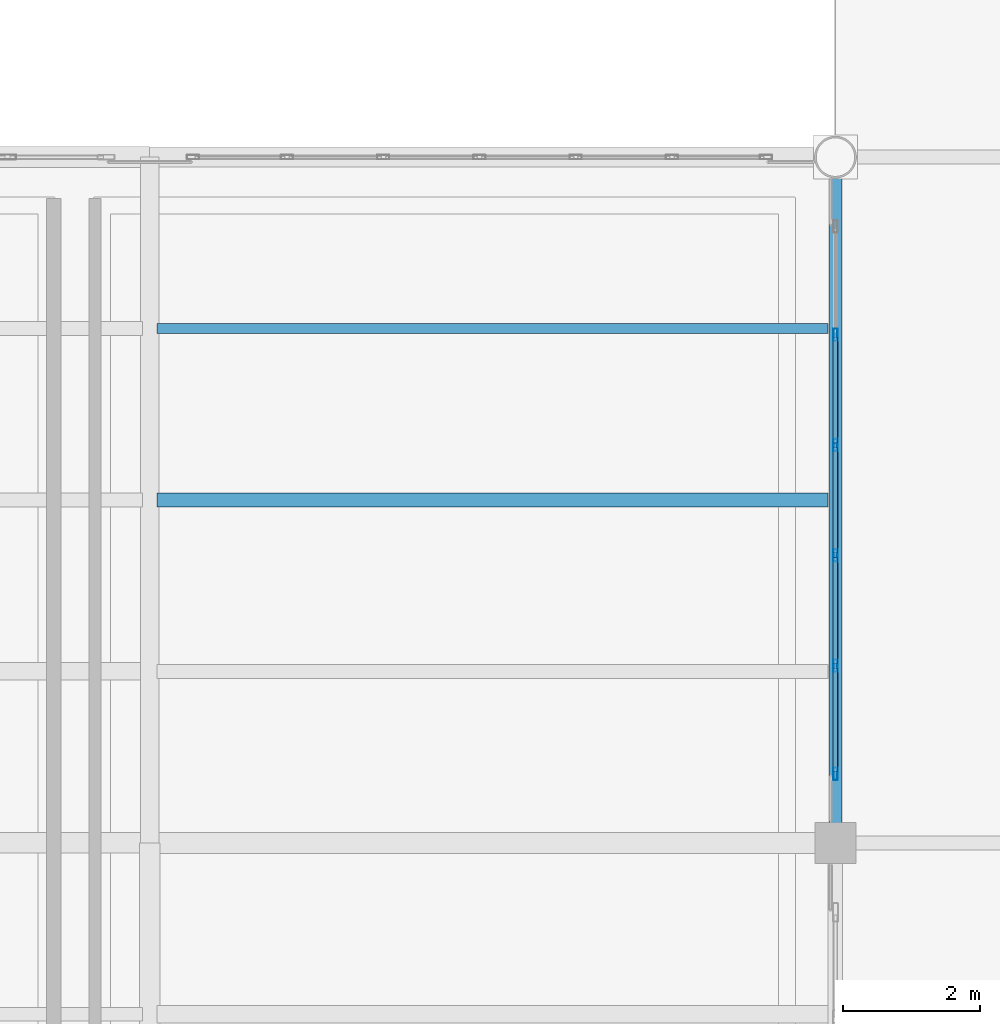
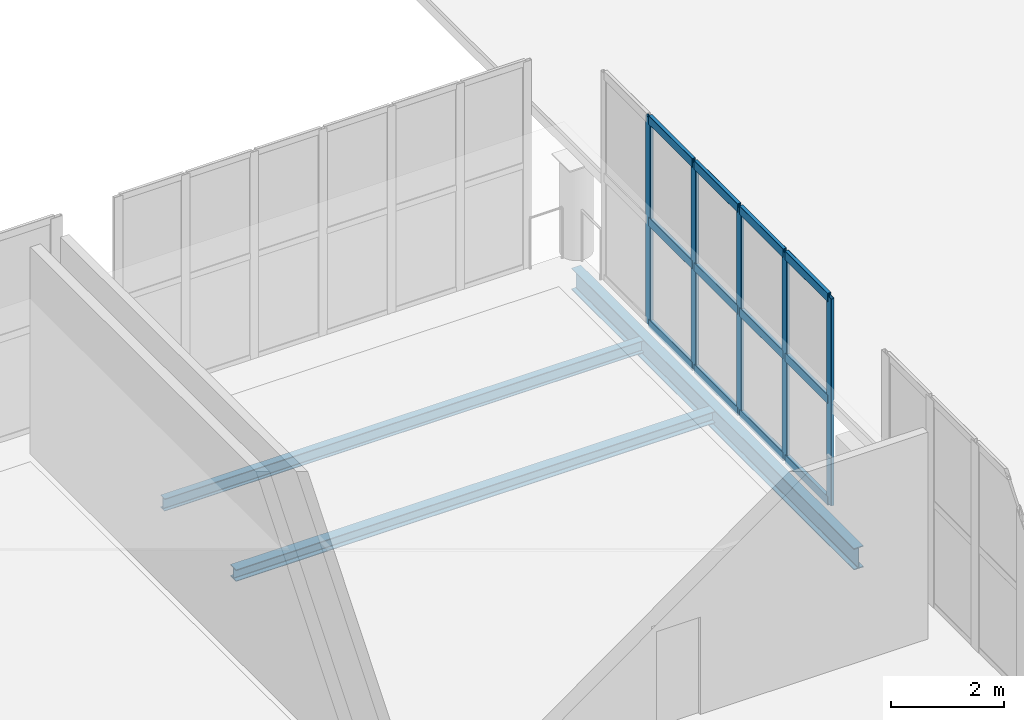
# One storey, part 81 of 136: 17 members, 3 beams, 1 element without a shape of its own.
"""IFC4 building model written with IfcOpenShell, lengths in metres."""

from ifc_helpers import new_model, si_unit, direction, frame, origin, origin_2d, place, context, subcontext, project, spatial, hollow_rectangle, i_section, extrude, material, layer, layer_set, material_profile, profile_set, type_object, element, aggregate, save


model = new_model("IFC4")

# Units and contexts
model_context = context("Model", 3, precision=1e-05, world=origin(), true_north=direction((0.0, 1.0)))
body_context = subcontext(model_context, "Body", "Model", "MODEL_VIEW")
ifc_project = project(units=[si_unit("LENGTHUNIT", "METRE"), si_unit("AREAUNIT", "SQUARE_METRE"), si_unit("VOLUMEUNIT", "CUBIC_METRE"), si_unit("PLANEANGLEUNIT", "RADIAN"), si_unit("MASSUNIT", "GRAM", prefix="KILO")], contexts=[model_context])

# Site, building, storey
site_placement = place(None, origin())
site = spatial("IfcSite", under=ifc_project, at=site_placement, CompositionType="ELEMENT")
building_placement = place(site_placement, origin())
building = spatial("IfcBuilding", under=site, at=building_placement, Name="Brinegate Civic Arena", CompositionType="ELEMENT")
storey_placement = place(building_placement, frame((0.0, 0.0, 5.39990234375)))
storey = spatial("IfcBuildingStorey", under=building, at=storey_placement, Name="L01", CompositionType="ELEMENT", Elevation=5.39990234375)

# Curtain wall, members
ifc_material_1 = material(Name="Marine grade aluminium", Category="aluminium")
ifc_layer = layer(ifc_material_1, 0.18505859375, Name="Marine grade aluminium")
ifc_layer_set = layer_set([ifc_layer], Name="Marine grade aluminium")
curtain_wall_type = type_object("IfcCurtainWallType", Name="CW-WING-GLAZED-03", PredefinedType="USERDEFINED", material=ifc_layer_set)
curtain_wall_placement = place(storey_placement, origin())
curtain_wall = element("IfcCurtainWall", 1, at=curtain_wall_placement, inside=storey, type_object=curtain_wall_type, Name="Curtain Wall CWA-038", ObjectType="GLAZED CURTAIN WALL", PredefinedType="USERDEFINED")
ifc_material_profile_1 = material_profile(ifc_material_1, hollow_rectangle(XDim=0.06494140625, YDim=0.179931640625, WallThickness=0.0048828125, InnerFilletRadius=0.00390625, OuterFilletRadius=0.008056640625, at=origin_2d()), Name="MUL65X180")
ifc_profile_set_1 = profile_set([ifc_material_profile_1], Name="Marine grade aluminium")
member_type_1 = type_object("IfcMemberType", Name="CW-MULLION-65X180", PredefinedType="MULLION", material=ifc_profile_set_1)
member_1_placement = place(storey_placement, frame((190.0, 73.006591796875, 0.0), z_axis=(0.0, 0.0, 1.0), x_axis=(-1.0, 0.0, 0.0)))
member_1 = element("IfcMember", 2, at=member_1_placement, type_object=member_type_1, Name="CWA-038 mullion 1", PredefinedType="MULLION", context=body_context, shape_type="SweptSolid", body=[
    extrude(hollow_rectangle(XDim=0.06494140625, YDim=0.179931640625, WallThickness=0.0048828125, InnerFilletRadius=0.00390625, OuterFilletRadius=0.008056640625, at=origin_2d()), origin(), (0.0, 0.0, 1.0), 4.47021484375),
])
member_2_placement = place(storey_placement, frame((190.0, 74.5830078125, 0.0), z_axis=(0.0, 0.0, 1.0), x_axis=(-1.0, 0.0, 0.0)))
member_2 = element("IfcMember", 3, at=member_2_placement, type_object=member_type_1, Name="CWA-038 mullion 2", PredefinedType="MULLION", context=body_context, shape_type="SweptSolid", body=[
    extrude(hollow_rectangle(XDim=0.06494140625, YDim=0.179931640625, WallThickness=0.0048828125, InnerFilletRadius=0.00390625, OuterFilletRadius=0.008056640625, at=origin_2d()), origin(), (0.0, 0.0, 1.0), 4.47021484375),
])
member_3_placement = place(storey_placement, frame((190.0, 76.19189453125, 0.0), z_axis=(0.0, 0.0, 1.0), x_axis=(-1.0, 0.0, 0.0)))
member_3 = element("IfcMember", 4, at=member_3_placement, type_object=member_type_1, Name="CWA-038 mullion 3", PredefinedType="MULLION", context=body_context, shape_type="SweptSolid", body=[
    extrude(hollow_rectangle(XDim=0.06494140625, YDim=0.179931640625, WallThickness=0.0048828125, InnerFilletRadius=0.00390625, OuterFilletRadius=0.008056640625, at=origin_2d()), origin(), (0.0, 0.0, 1.0), 4.47021484375),
])
member_4_placement = place(storey_placement, frame((190.0, 77.801025390625, 0.0), z_axis=(0.0, 0.0, 1.0), x_axis=(-1.0, 0.0, 0.0)))
member_4 = element("IfcMember", 5, at=member_4_placement, type_object=member_type_1, Name="CWA-038 mullion 4", PredefinedType="MULLION", context=body_context, shape_type="SweptSolid", body=[
    extrude(hollow_rectangle(XDim=0.06494140625, YDim=0.179931640625, WallThickness=0.0048828125, InnerFilletRadius=0.00390625, OuterFilletRadius=0.008056640625, at=origin_2d()), origin(), (0.0, 0.0, 1.0), 4.47021484375),
])
member_5_placement = place(storey_placement, frame((190.0, 79.409912109375, 0.0), z_axis=(0.0, 0.0, 1.0), x_axis=(-1.0, 0.0, 0.0)))
member_5 = element("IfcMember", 6, at=member_5_placement, type_object=member_type_1, Name="CWA-038 mullion 5", PredefinedType="MULLION", context=body_context, shape_type="SweptSolid", body=[
    extrude(hollow_rectangle(XDim=0.06494140625, YDim=0.179931640625, WallThickness=0.0048828125, InnerFilletRadius=0.00390625, OuterFilletRadius=0.008056640625, at=origin_2d()), origin(), (0.0, 0.0, 1.0), 4.47021484375),
])
ifc_material_profile_2 = material_profile(ifc_material_1, hollow_rectangle(XDim=0.074951171875, YDim=0.18994140625, WallThickness=0.006103515625, InnerFilletRadius=0.00390625, OuterFilletRadius=0.008056640625, at=origin_2d()), Name="TRN75X190")
ifc_profile_set_2 = profile_set([ifc_material_profile_2], Name="Marine grade aluminium")
member_type_2 = type_object("IfcMemberType", Name="CW-TRANSOM-75X190", PredefinedType="USERDEFINED", material=ifc_profile_set_2)
member_6_placement = place(storey_placement, frame((190.0, 73.0390625, 0.03759765625), z_axis=(0.0, 1.0, 0.0), x_axis=(-1.0, 0.0, 0.0)))
member_6 = element("IfcMember", 7, at=member_6_placement, type_object=member_type_2, Name="CWA-038 transom 1.1", ObjectType="TRANSOM", PredefinedType="USERDEFINED", context=body_context, shape_type="SweptSolid", body=[
    extrude(hollow_rectangle(XDim=0.074951171875, YDim=0.18994140625, WallThickness=0.006103515625, InnerFilletRadius=0.00390625, OuterFilletRadius=0.008056640625, at=origin_2d()), origin(), (0.0, 0.0, 1.0), 1.511474609375),
])
member_7_placement = place(storey_placement, frame((190.0, 73.0390625, 2.235107421875), z_axis=(0.0, 1.0, 0.0), x_axis=(-1.0, 0.0, 0.0)))
member_7 = element("IfcMember", 8, at=member_7_placement, type_object=member_type_2, Name="CWA-038 transom 1.2", ObjectType="TRANSOM", PredefinedType="USERDEFINED", context=body_context, shape_type="SweptSolid", body=[
    extrude(hollow_rectangle(XDim=0.074951171875, YDim=0.18994140625, WallThickness=0.006103515625, InnerFilletRadius=0.00390625, OuterFilletRadius=0.008056640625, at=origin_2d()), origin(), (0.0, 0.0, 1.0), 1.511474609375),
])
member_8_placement = place(storey_placement, frame((190.0, 73.0390625, 4.4326171875), z_axis=(0.0, 1.0, 0.0), x_axis=(-1.0, 0.0, 0.0)))
member_8 = element("IfcMember", 9, at=member_8_placement, type_object=member_type_2, Name="CWA-038 transom 1.3", ObjectType="TRANSOM", PredefinedType="USERDEFINED", context=body_context, shape_type="SweptSolid", body=[
    extrude(hollow_rectangle(XDim=0.074951171875, YDim=0.18994140625, WallThickness=0.006103515625, InnerFilletRadius=0.00390625, OuterFilletRadius=0.008056640625, at=origin_2d()), origin(), (0.0, 0.0, 1.0), 1.511474609375),
])
member_9_placement = place(storey_placement, frame((190.0, 74.615478515625, 0.03759765625), z_axis=(0.0, 1.0, 0.0), x_axis=(-1.0, 0.0, 0.0)))
member_9 = element("IfcMember", 10, at=member_9_placement, type_object=member_type_2, Name="CWA-038 transom 2.1", ObjectType="TRANSOM", PredefinedType="USERDEFINED", context=body_context, shape_type="SweptSolid", body=[
    extrude(hollow_rectangle(XDim=0.074951171875, YDim=0.18994140625, WallThickness=0.006103515625, InnerFilletRadius=0.00390625, OuterFilletRadius=0.008056640625, at=origin_2d()), origin(), (0.0, 0.0, 1.0), 1.5439453125),
])
member_10_placement = place(storey_placement, frame((190.0, 74.615478515625, 2.235107421875), z_axis=(0.0, 1.0, 0.0), x_axis=(-1.0, 0.0, 0.0)))
member_10 = element("IfcMember", 11, at=member_10_placement, type_object=member_type_2, Name="CWA-038 transom 2.2", ObjectType="TRANSOM", PredefinedType="USERDEFINED", context=body_context, shape_type="SweptSolid", body=[
    extrude(hollow_rectangle(XDim=0.074951171875, YDim=0.18994140625, WallThickness=0.006103515625, InnerFilletRadius=0.00390625, OuterFilletRadius=0.008056640625, at=origin_2d()), origin(), (0.0, 0.0, 1.0), 1.5439453125),
])
member_11_placement = place(storey_placement, frame((190.0, 74.615478515625, 4.4326171875), z_axis=(0.0, 1.0, 0.0), x_axis=(-1.0, 0.0, 0.0)))
member_11 = element("IfcMember", 12, at=member_11_placement, type_object=member_type_2, Name="CWA-038 transom 2.3", ObjectType="TRANSOM", PredefinedType="USERDEFINED", context=body_context, shape_type="SweptSolid", body=[
    extrude(hollow_rectangle(XDim=0.074951171875, YDim=0.18994140625, WallThickness=0.006103515625, InnerFilletRadius=0.00390625, OuterFilletRadius=0.008056640625, at=origin_2d()), origin(), (0.0, 0.0, 1.0), 1.5439453125),
])
member_12_placement = place(storey_placement, frame((190.0, 76.224609375, 0.03759765625), z_axis=(0.0, 1.0, 0.0), x_axis=(-1.0, 0.0, 0.0)))
member_12 = element("IfcMember", 13, at=member_12_placement, type_object=member_type_2, Name="CWA-038 transom 3.1", ObjectType="TRANSOM", PredefinedType="USERDEFINED", context=body_context, shape_type="SweptSolid", body=[
    extrude(hollow_rectangle(XDim=0.074951171875, YDim=0.18994140625, WallThickness=0.006103515625, InnerFilletRadius=0.00390625, OuterFilletRadius=0.008056640625, at=origin_2d()), origin(), (0.0, 0.0, 1.0), 1.5439453125),
])
member_13_placement = place(storey_placement, frame((190.0, 76.224609375, 2.235107421875), z_axis=(0.0, 1.0, 0.0), x_axis=(-1.0, 0.0, 0.0)))
member_13 = element("IfcMember", 14, at=member_13_placement, type_object=member_type_2, Name="CWA-038 transom 3.2", ObjectType="TRANSOM", PredefinedType="USERDEFINED", context=body_context, shape_type="SweptSolid", body=[
    extrude(hollow_rectangle(XDim=0.074951171875, YDim=0.18994140625, WallThickness=0.006103515625, InnerFilletRadius=0.00390625, OuterFilletRadius=0.008056640625, at=origin_2d()), origin(), (0.0, 0.0, 1.0), 1.5439453125),
])
member_14_placement = place(storey_placement, frame((190.0, 76.224609375, 4.4326171875), z_axis=(0.0, 1.0, 0.0), x_axis=(-1.0, 0.0, 0.0)))
member_14 = element("IfcMember", 15, at=member_14_placement, type_object=member_type_2, Name="CWA-038 transom 3.3", ObjectType="TRANSOM", PredefinedType="USERDEFINED", context=body_context, shape_type="SweptSolid", body=[
    extrude(hollow_rectangle(XDim=0.074951171875, YDim=0.18994140625, WallThickness=0.006103515625, InnerFilletRadius=0.00390625, OuterFilletRadius=0.008056640625, at=origin_2d()), origin(), (0.0, 0.0, 1.0), 1.5439453125),
])
member_15_placement = place(storey_placement, frame((190.0, 77.83349609375, 0.03759765625), z_axis=(0.0, 1.0, 0.0), x_axis=(-1.0, 0.0, 0.0)))
member_15 = element("IfcMember", 16, at=member_15_placement, type_object=member_type_2, Name="CWA-038 transom 4.1", ObjectType="TRANSOM", PredefinedType="USERDEFINED", context=body_context, shape_type="SweptSolid", body=[
    extrude(hollow_rectangle(XDim=0.074951171875, YDim=0.18994140625, WallThickness=0.006103515625, InnerFilletRadius=0.00390625, OuterFilletRadius=0.008056640625, at=origin_2d()), origin(), (0.0, 0.0, 1.0), 1.5439453125),
])
member_16_placement = place(storey_placement, frame((190.0, 77.83349609375, 2.235107421875), z_axis=(0.0, 1.0, 0.0), x_axis=(-1.0, 0.0, 0.0)))
member_16 = element("IfcMember", 17, at=member_16_placement, type_object=member_type_2, Name="CWA-038 transom 4.2", ObjectType="TRANSOM", PredefinedType="USERDEFINED", context=body_context, shape_type="SweptSolid", body=[
    extrude(hollow_rectangle(XDim=0.074951171875, YDim=0.18994140625, WallThickness=0.006103515625, InnerFilletRadius=0.00390625, OuterFilletRadius=0.008056640625, at=origin_2d()), origin(), (0.0, 0.0, 1.0), 1.5439453125),
])
member_17_placement = place(storey_placement, frame((190.0, 77.83349609375, 4.4326171875), z_axis=(0.0, 1.0, 0.0), x_axis=(-1.0, 0.0, 0.0)))
member_17 = element("IfcMember", 18, at=member_17_placement, type_object=member_type_2, Name="CWA-038 transom 4.3", ObjectType="TRANSOM", PredefinedType="USERDEFINED", context=body_context, shape_type="SweptSolid", body=[
    extrude(hollow_rectangle(XDim=0.074951171875, YDim=0.18994140625, WallThickness=0.006103515625, InnerFilletRadius=0.00390625, OuterFilletRadius=0.008056640625, at=origin_2d()), origin(), (0.0, 0.0, 1.0), 1.5439453125),
])
aggregate(curtain_wall, [member_1, member_2, member_3, member_4, member_5, member_6, member_7, member_8, member_9, member_10, member_11, member_12, member_13, member_14, member_15, member_16, member_17])

# Beams
ifc_material_2 = material(Name="Steel S355", Category="steel")
ifc_material_profile_3 = material_profile(ifc_material_2, i_section(OverallWidth=0.14794921875, OverallDepth=0.26611328125, WebThickness=0.008056640625, FlangeThickness=0.012939453125, FilletRadius=0.011962890625, at=origin_2d()), Name="W250X45")
ifc_profile_set_3 = profile_set([ifc_material_profile_3], Name="Steel S355")
beam_type_1 = type_object("IfcBeamType", Name="JOIST-W250X45", PredefinedType="JOIST", material=ifc_profile_set_3)
beam_1_placement = place(storey_placement, frame((180.10595703125, 79.5, -0.472900390625), z_axis=(1.0, 0.0, 0.0), x_axis=(0.0, 1.0, 0.0)))
element("IfcBeam", 19, at=beam_1_placement, inside=storey, type_object=beam_type_1, Name="Secondary Joist BM-L01-JX-15-07-3", PredefinedType="JOIST", context=body_context, shape_type="SweptSolid", body=[
    extrude(i_section(OverallWidth=0.14794921875, OverallDepth=0.26611328125, WebThickness=0.008056640625, FlangeThickness=0.012939453125, FilletRadius=0.011962890625, at=origin_2d()), origin(), (0.0, 0.0, 1.0), 9.7880859375),
])
ifc_material_profile_4 = material_profile(ifc_material_2, i_section(OverallWidth=0.202880859375, OverallDepth=0.251953125, WebThickness=0.008056640625, FlangeThickness=0.013916015625, FilletRadius=0.011962890625, at=origin_2d()), Name="W250X58")
ifc_profile_set_4 = profile_set([ifc_material_profile_4], Name="Steel S355")
beam_type_2 = type_object("IfcBeamType", Name="JOIST-W250X58", PredefinedType="JOIST", material=ifc_profile_set_4)
beam_2_placement = place(storey_placement, frame((180.10595703125, 77.0, -0.4658203125), z_axis=(1.0, 0.0, 0.0), x_axis=(0.0, 1.0, 0.0)))
element("IfcBeam", 20, at=beam_2_placement, inside=storey, type_object=beam_type_2, Name="Secondary Joist BM-L01-JX-15-07-2", PredefinedType="JOIST", context=body_context, shape_type="SweptSolid", body=[
    extrude(i_section(OverallWidth=0.202880859375, OverallDepth=0.251953125, WebThickness=0.008056640625, FlangeThickness=0.013916015625, FilletRadius=0.011962890625, at=origin_2d()), origin(), (0.0, 0.0, 1.0), 9.7880859375),
])
ifc_material_profile_5 = material_profile(ifc_material_2, i_section(OverallWidth=0.193115234375, OverallDepth=0.466064453125, WebThickness=0.010986328125, FlangeThickness=0.01904296875, FilletRadius=0.014892578125, at=origin_2d()), Name="W460X97")
ifc_profile_set_5 = profile_set([ifc_material_profile_5], Name="Steel S355")
beam_type_3 = type_object("IfcBeamType", Name="SPANDREL-W460X97", PredefinedType="SPANDREL", material=ifc_profile_set_5)
beam_3_placement = place(storey_placement, frame((190.0, 72.0, -0.572998046875), z_axis=(0.0, 1.0, 0.0), x_axis=(-1.0, 0.0, 0.0)))
element("IfcBeam", 21, at=beam_3_placement, inside=storey, type_object=beam_type_3, Name="Floor Girder BM-L01-GY-16-07", PredefinedType="SPANDREL", context=body_context, shape_type="SweptSolid", body=[
    extrude(i_section(OverallWidth=0.193115234375, OverallDepth=0.466064453125, WebThickness=0.010986328125, FlangeThickness=0.01904296875, FilletRadius=0.014892578125, at=origin_2d()), origin(), (0.0, 0.0, 1.0), 10.0),
])

save(model, "model.ifc")
